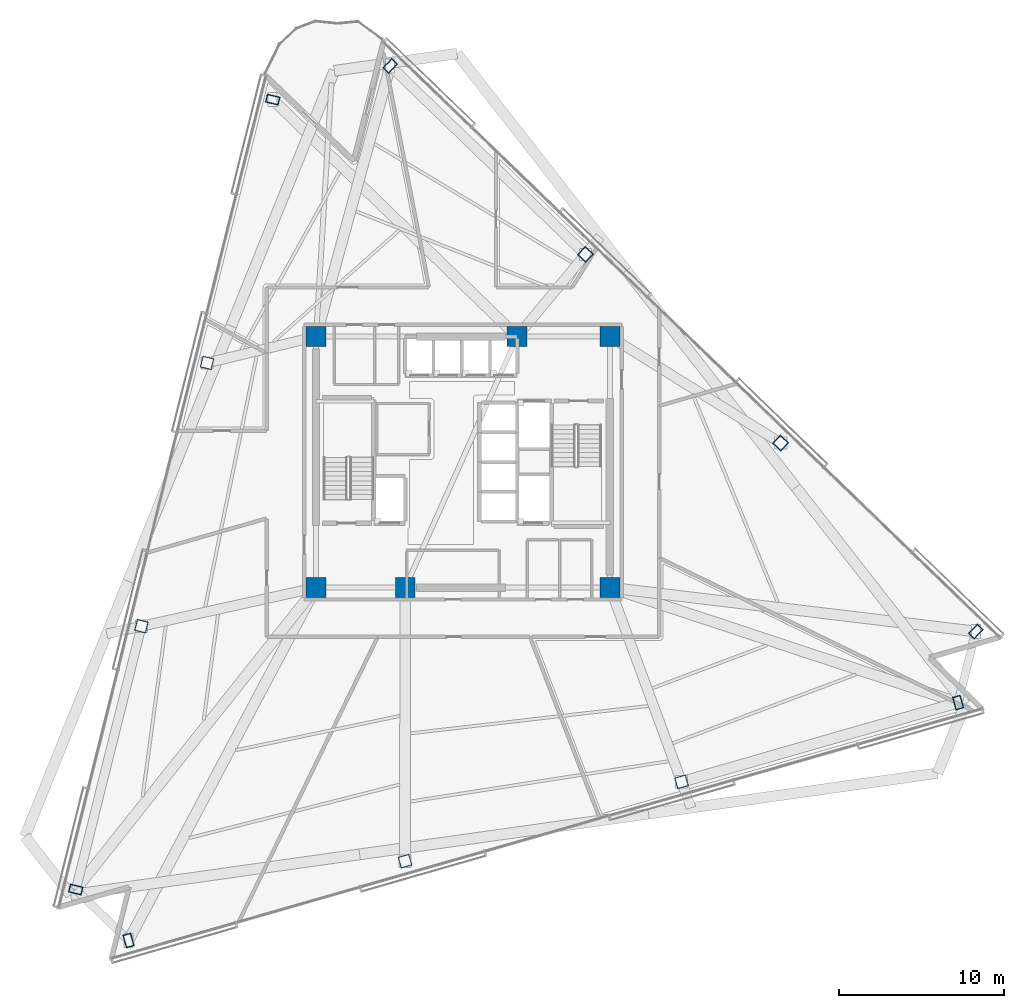
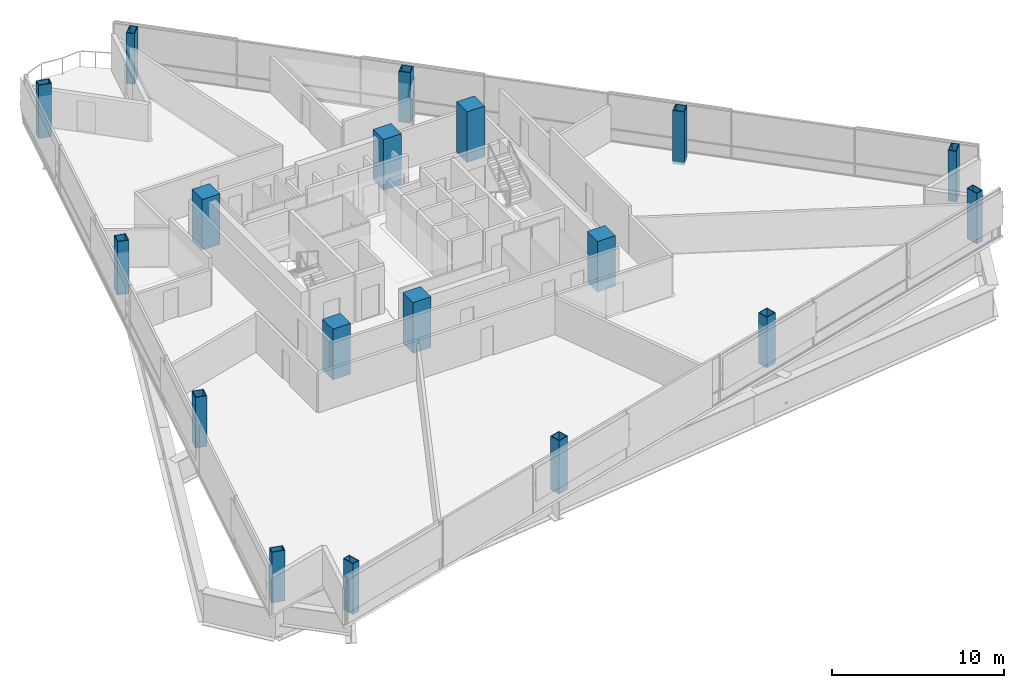
# One storey, part 1 of 21: 18 columns.
"""IFC4 building model written with IfcOpenShell, lengths in metres."""

from ifc_helpers import new_model, si_unit, direction, frame, origin, origin_2d, place, context, subcontext, project, spatial, rectangle, hollow_rectangle, extrude, material, material_profile, profile_set, type_object, element, save


model = new_model("IFC4")

# Units and contexts
model_context = context("Model", 3, precision=1e-05, world=origin(), true_north=direction((0.0, 1.0)))
body_context = subcontext(model_context, "Body", "Model", "MODEL_VIEW")
ifc_project = project(units=[si_unit("LENGTHUNIT", "METRE"), si_unit("AREAUNIT", "SQUARE_METRE"), si_unit("VOLUMEUNIT", "CUBIC_METRE"), si_unit("PLANEANGLEUNIT", "RADIAN"), si_unit("MASSUNIT", "GRAM", prefix="KILO")], contexts=[model_context])

# Site, building, storey
site_placement = place(None, origin())
site = spatial("IfcSite", under=ifc_project, at=site_placement, CompositionType="ELEMENT")
building_placement = place(site_placement, origin())
building = spatial("IfcBuilding", under=site, at=building_placement, Name="Tharavind Bronze Gate", CompositionType="ELEMENT")
storey_placement = place(building_placement, frame((0.0, 0.0, 86.10009765625)))
storey = spatial("IfcBuildingStorey", under=building, at=storey_placement, Name="L21", CompositionType="ELEMENT", Elevation=86.10009765625)

# Columns
ifc_material_1 = material(Name="Steel S460", Category="steel")
ifc_material_profile_1 = material_profile(ifc_material_1, hollow_rectangle(XDim=0.5, YDim=0.800048828125, WallThickness=0.0400390625, at=origin_2d()), Name="RHS800X500X40")
ifc_profile_set_1 = profile_set([ifc_material_profile_1], Name="Steel S460")
column_type_1 = type_object("IfcColumnType", Name="CORNER NOTCH COLUMN RHS800X500", PredefinedType="COLUMN", material=ifc_profile_set_1)
column_1_placement = place(storey_placement, frame((-11.520263671875, 21.952392578125, -0.190185546875), z_axis=(0.0, 0.0, 1.0), x_axis=(0.2419218956, 0.970295726276, 0.0)))
element("IfcColumn", 1, at=column_1_placement, inside=storey, type_object=column_type_1, Name="L21 perimeter column S1C1", PredefinedType="COLUMN", context=body_context, shape_type="SweptSolid", body=[
    extrude(hollow_rectangle(XDim=0.5, YDim=0.800048828125, WallThickness=0.0400390625, at=origin_2d()), origin(), (0.0, 0.0, 1.0), 3.7900390625),
])
for number, where, z_axis, x_axis, name in (
    (2, (-23.447265625, -25.884521484375, 0.0), (0.0, 0.0, 1.0), (0.2419218956, 0.970295726276, 0.0), "L21 perimeter column S1C4"),
    (3, (-20.25341796875, -28.96875, 0.0), (0.0, 0.0, 1.0), (0.961261695938, 0.275637355817, 0.0), "L21 perimeter column S2C1"),
    (4, (29.9833984375, -14.563720703125, 0.0), (0.0, 0.0, 1.0), (0.961261695938, 0.275637355817, 0.0), "L21 perimeter column S2C4"),
    (5, (31.0576171875, -10.255615234375, 0.0), (0.0, 0.0, 1.0), (-0.719339800339, 0.694658370459, 0.0), "L21 perimeter column S3C1"),
    (6, (-4.406982421875, 23.9921875, 0.0), (0.0, 0.0, 1.0), (-0.719339800339, 0.694658370459, 0.0), "L21 perimeter column S3C4"),
):
    element("IfcColumn", number, at=place(storey_placement, frame(where, z_axis=z_axis, x_axis=x_axis)), inside=storey, type_object=column_type_1, Name=name, PredefinedType="COLUMN", context=body_context, shape_type="SweptSolid", body=[
        extrude(hollow_rectangle(XDim=0.5, YDim=0.800048828125, WallThickness=0.0400390625, at=origin_2d()), origin(), (0.0, 0.0, 1.0), 3.599853515625),
    ])
ifc_material_2 = material(Name="Concrete C60/75", Category="concrete")
ifc_material_profile_2 = material_profile(ifc_material_2, rectangle(XDim=1.199951171875, YDim=1.199951171875, at=origin_2d()), Name="RCCOL1200")
ifc_profile_set_2 = profile_set([ifc_material_profile_2], Name="Concrete C60/75")
column_type_2 = type_object("IfcColumnType", Name="MEGA CORE COLUMN 1200", PredefinedType="COLUMN", material=ifc_profile_set_2)
for number, where, z_axis, x_axis, name in (
    (7, (-8.89990234375, -7.60009765625, 0.0), (0.0, 0.0, 1.0), (1.0, 0.0, 0.0), "L21 core mega column MC1"),
    (8, (-3.5, -7.60009765625, 0.0), (0.0, 0.0, 1.0), (1.0, 0.0, 0.0), "L21 core mega column MC2"),
    (9, (8.89990234375, -7.60009765625, 0.0), (0.0, 0.0, 1.0), (1.0, 0.0, 0.0), "L21 core mega column MC3"),
    (10, (8.89990234375, 7.60009765625, 0.0), (0.0, 0.0, 1.0), (1.0, 0.0, 0.0), "L21 core mega column MC4"),
    (11, (3.280029296875, 7.60009765625, 0.0), (0.0, 0.0, 1.0), (1.0, 0.0, 0.0), "L21 core mega column MC5"),
    (12, (-8.89990234375, 7.60009765625, 0.0), (0.0, 0.0, 1.0), (1.0, 0.0, 0.0), "L21 core mega column MC6"),
):
    element("IfcColumn", number, at=place(storey_placement, frame(where, z_axis=z_axis, x_axis=x_axis)), inside=storey, type_object=column_type_2, Name=name, PredefinedType="COLUMN", context=body_context, shape_type="SweptSolid", body=[
        extrude(rectangle(XDim=1.199951171875, YDim=1.199951171875, at=origin_2d()), origin(), (0.0, 0.0, 1.0), 3.599853515625),
    ])
ifc_material_profile_3 = material_profile(ifc_material_1, hollow_rectangle(XDim=0.699951171875, YDim=0.699951171875, WallThickness=0.0400390625, at=origin_2d()), Name="SHS700X40")
ifc_profile_set_3 = profile_set([ifc_material_profile_3], Name="Steel S460")
column_type_3 = type_object("IfcColumnType", Name="PERIMETER BOX COLUMN SHS700", PredefinedType="COLUMN", material=ifc_profile_set_3)
column_2_placement = place(storey_placement, frame((-15.495849609375, 6.006591796875, -0.190185546875), z_axis=(0.0, 0.0, 1.0), x_axis=(0.2419218956, 0.970295726276, 0.0)))
element("IfcColumn", 13, at=column_2_placement, inside=storey, type_object=column_type_3, Name="L21 perimeter column S1C2", PredefinedType="COLUMN", context=body_context, shape_type="SweptSolid", body=[
    extrude(hollow_rectangle(XDim=0.699951171875, YDim=0.699951171875, WallThickness=0.0400390625, at=origin_2d()), origin(), (0.0, 0.0, 1.0), 3.7900390625),
])
column_3_placement = place(storey_placement, frame((-19.4716796875, -9.93896484375, 0.0), z_axis=(0.0, 0.0, 1.0), x_axis=(0.2419218956, 0.970295726276, 0.0)))
element("IfcColumn", 14, at=column_3_placement, inside=storey, type_object=column_type_3, Name="L21 perimeter column S1C3", PredefinedType="COLUMN", context=body_context, shape_type="SweptSolid", body=[
    extrude(hollow_rectangle(XDim=0.699951171875, YDim=0.699951171875, WallThickness=0.0400390625, at=origin_2d()), origin(), (0.0, 0.0, 1.0), 3.599853515625),
])
column_4_placement = place(storey_placement, frame((-3.5078125, -24.1669921875, -0.190185546875), z_axis=(0.0, 0.0, 1.0), x_axis=(0.961261695938, 0.275637355817, 0.0)))
element("IfcColumn", 15, at=column_4_placement, inside=storey, type_object=column_type_3, Name="L21 perimeter column S2C2", PredefinedType="COLUMN", context=body_context, shape_type="SweptSolid", body=[
    extrude(hollow_rectangle(XDim=0.699951171875, YDim=0.699951171875, WallThickness=0.0400390625, at=origin_2d()), origin(), (0.0, 0.0, 1.0), 3.7900390625),
])
column_5_placement = place(storey_placement, frame((13.23779296875, -19.365234375, 0.0), z_axis=(0.0, 0.0, 1.0), x_axis=(0.961261695938, 0.275637355817, 0.0)))
element("IfcColumn", 16, at=column_5_placement, inside=storey, type_object=column_type_3, Name="L21 perimeter column S2C3", PredefinedType="COLUMN", context=body_context, shape_type="SweptSolid", body=[
    extrude(hollow_rectangle(XDim=0.699951171875, YDim=0.699951171875, WallThickness=0.0400390625, at=origin_2d()), origin(), (0.0, 0.0, 1.0), 3.599853515625),
])
column_6_placement = place(storey_placement, frame((19.236083984375, 1.160400390625, -0.190185546875), z_axis=(0.0, 0.0, 1.0), x_axis=(-0.719339800339, 0.694658370459, 0.0)))
element("IfcColumn", 17, at=column_6_placement, inside=storey, type_object=column_type_3, Name="L21 perimeter column S3C2", PredefinedType="COLUMN", context=body_context, shape_type="SweptSolid", body=[
    extrude(hollow_rectangle(XDim=0.699951171875, YDim=0.699951171875, WallThickness=0.0400390625, at=origin_2d()), origin(), (0.0, 0.0, 1.0), 3.7900390625),
])
column_7_placement = place(storey_placement, frame((7.41455078125, 12.576171875, 0.0), z_axis=(0.0, 0.0, 1.0), x_axis=(-0.719339800339, 0.694658370459, 0.0)))
element("IfcColumn", 18, at=column_7_placement, inside=storey, type_object=column_type_3, Name="L21 perimeter column S3C3", PredefinedType="COLUMN", context=body_context, shape_type="SweptSolid", body=[
    extrude(hollow_rectangle(XDim=0.699951171875, YDim=0.699951171875, WallThickness=0.0400390625, at=origin_2d()), origin(), (0.0, 0.0, 1.0), 3.599853515625),
])

save(model, "model.ifc")
